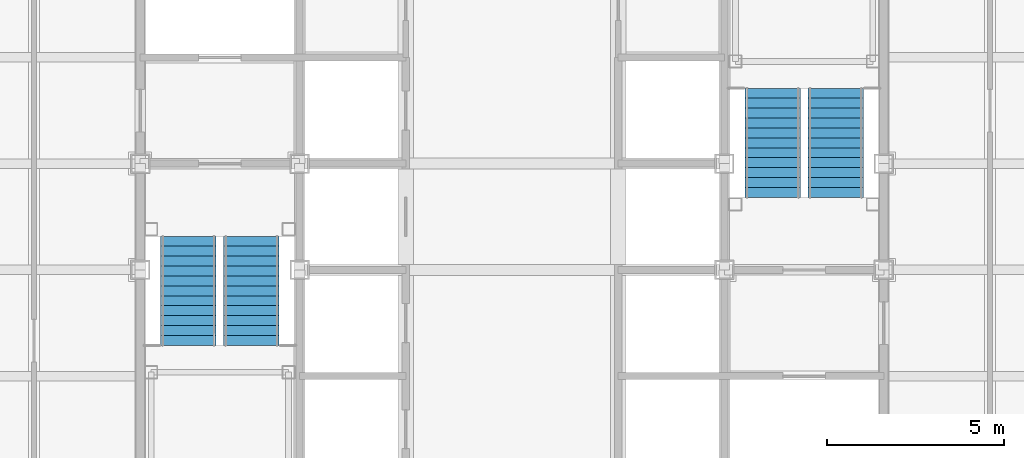
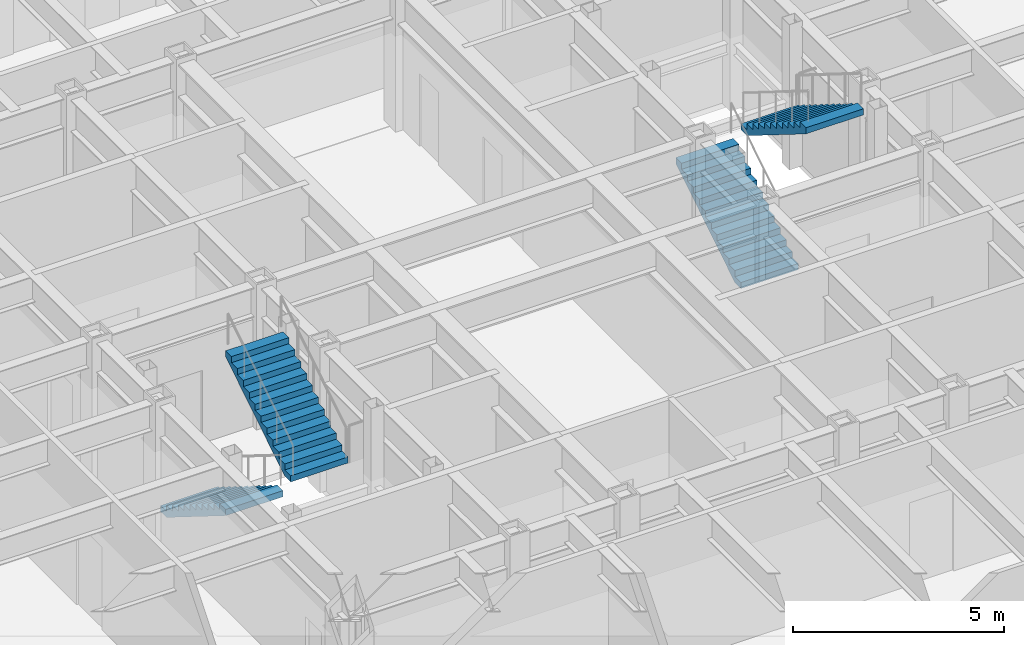
# One storey, part 14 of 16: 4 stair flights, 2 elements without a shape of their own.
"""IFC4 building model written with IfcOpenShell, lengths in metres."""

from ifc_helpers import new_model, si_unit, direction, frame, origin, place, context, subcontext, project, spatial, faceted_brep, material, type_object, element, aggregate, save


model = new_model("IFC4")

# Units and contexts
model_context = context("Model", 3, precision=1e-05, world=origin(), true_north=direction((0.0, 1.0)))
body_context = subcontext(model_context, "Body", "Model", "MODEL_VIEW")
ifc_project = project(units=[si_unit("LENGTHUNIT", "METRE"), si_unit("AREAUNIT", "SQUARE_METRE"), si_unit("VOLUMEUNIT", "CUBIC_METRE"), si_unit("PLANEANGLEUNIT", "RADIAN"), si_unit("MASSUNIT", "GRAM", prefix="KILO")], contexts=[model_context])

# Site, building, storey
site_placement = place(None, origin())
site = spatial("IfcSite", under=ifc_project, at=site_placement, CompositionType="ELEMENT")
building_placement = place(site_placement, origin())
building = spatial("IfcBuilding", under=site, at=building_placement, Name="Chuquiago Exchange Tower", CompositionType="ELEMENT")
storey_placement = place(building_placement, frame((0.0, 0.0, 247.5)))
storey = spatial("IfcBuildingStorey", under=building, at=storey_placement, Name="L55", CompositionType="ELEMENT", Elevation=247.5)

# Stair, stair flights
ifc_material_1 = material(Name="Concrete C30/37, precast", Category="concrete")
stair_type_1 = type_object("IfcStairType", Name="ST1 half-turn stair 4200", PredefinedType="HALF_TURN_STAIR", material=ifc_material_1)
stair_1_placement = place(storey_placement, origin())
stair_1 = element("IfcStair", 1, at=stair_1_placement, inside=storey, type_object=stair_type_1, Name="Stair ST1 L55", PredefinedType="HALF_TURN_STAIR")
ifc_material_2 = material(Name="Concrete C30/37, precast", Category="concrete")
stair_flight_type = type_object("IfcStairFlightType", Name="ST-F flight 1570 for 4200 storey", PredefinedType="STRAIGHT", material=ifc_material_2)
stair_flight_1_placement = place(storey_placement, frame((13.360107421875, 21.949951171875, 0.0), z_axis=(0.0, 0.0, 1.0), x_axis=(0.0, -1.0, 0.0)))
stair_flight_1 = element("IfcStairFlight", 2, at=stair_flight_1_placement, type_object=stair_flight_type, Name="ST1 flight 1", NumberOfRisers=12, NumberOfTreads=11, PredefinedType="STRAIGHT", RiserHeight=0.175, TreadLength=0.28, context=body_context, shape_type="Brep", body=[
    faceted_brep([(0.0, 0.78515625, 0.0), (0.0, 0.78515625, 0.175048828125), (0.280029296875, 0.78515625, 0.175048828125), (0.280029296875, 0.78515625, 0.35009765625), (0.56005859375, 0.78515625, 0.35009765625), (0.56005859375, 0.78515625, 0.52490234375), (0.840087890625, 0.78515625, 0.52490234375), (0.840087890625, 0.78515625, 0.699951171875), (1.1201171875, 0.78515625, 0.699951171875), (1.1201171875, 0.78515625, 0.875), (1.39990234375, 0.78515625, 0.875), (1.39990234375, 0.78515625, 1.050048828125), (1.679931640625, 0.78515625, 1.050048828125), (1.679931640625, 0.78515625, 1.22509765625), (1.9599609375, 0.78515625, 1.22509765625), (1.9599609375, 0.78515625, 1.39990234375), (2.239990234375, 0.78515625, 1.39990234375), (2.239990234375, 0.78515625, 1.574951171875), (2.52001953125, 0.78515625, 1.574951171875), (2.52001953125, 0.78515625, 1.75), (2.800048828125, 0.78515625, 1.75), (2.800048828125, 0.78515625, 1.925048828125), (3.080078125, 0.78515625, 1.925048828125), (3.080078125, 0.78515625, 1.748291015625), (0.28271484375, 0.78515625, 0.0), (0.28271484375, -0.78515625, 0.0), (3.080078125, -0.78515625, 1.748291015625), (3.080078125, -0.78515625, 1.925048828125), (2.800048828125, -0.78515625, 1.925048828125), (2.800048828125, -0.78515625, 1.75), (2.52001953125, -0.78515625, 1.75), (2.52001953125, -0.78515625, 1.574951171875), (2.239990234375, -0.78515625, 1.574951171875), (2.239990234375, -0.78515625, 1.39990234375), (1.9599609375, -0.78515625, 1.39990234375), (1.9599609375, -0.78515625, 1.22509765625), (1.679931640625, -0.78515625, 1.22509765625), (1.679931640625, -0.78515625, 1.050048828125), (1.39990234375, -0.78515625, 1.050048828125), (1.39990234375, -0.78515625, 0.875), (1.1201171875, -0.78515625, 0.875), (1.1201171875, -0.78515625, 0.699951171875), (0.840087890625, -0.78515625, 0.699951171875), (0.840087890625, -0.78515625, 0.52490234375), (0.56005859375, -0.78515625, 0.52490234375), (0.56005859375, -0.78515625, 0.35009765625), (0.280029296875, -0.78515625, 0.35009765625), (0.280029296875, -0.78515625, 0.175048828125), (0.0, -0.78515625, 0.175048828125), (0.0, -0.78515625, 0.0), (0.0, 0.392578125, 0.0), (0.0, 0.392578125, 0.175048828125), (0.0, 0.0, 0.0), (0.0, 0.0, 0.175048828125), (0.0, -0.392578125, 0.0), (0.0, -0.392578125, 0.175048828125), (0.280029296875, 0.392578125, 0.175048828125), (0.280029296875, 0.0, 0.175048828125), (0.280029296875, -0.392578125, 0.175048828125), (0.280029296875, 0.392578125, 0.35009765625), (0.280029296875, 0.0, 0.35009765625), (0.280029296875, -0.392578125, 0.35009765625), (0.56005859375, 0.392578125, 0.35009765625), (0.56005859375, 0.0, 0.35009765625), (0.56005859375, -0.392578125, 0.35009765625), (0.56005859375, 0.392578125, 0.52490234375), (0.56005859375, 0.0, 0.52490234375), (0.56005859375, -0.392578125, 0.52490234375), (0.840087890625, 0.392578125, 0.52490234375), (0.840087890625, 0.0, 0.52490234375), (0.840087890625, -0.392578125, 0.52490234375), (0.840087890625, 0.392578125, 0.699951171875), (0.840087890625, 0.0, 0.699951171875), (0.840087890625, -0.392578125, 0.699951171875), (1.1201171875, 0.392578125, 0.699951171875), (1.1201171875, 0.0, 0.699951171875), (1.1201171875, -0.392578125, 0.699951171875), (1.1201171875, 0.392578125, 0.875), (1.1201171875, 0.0, 0.875), (1.1201171875, -0.392578125, 0.875), (1.39990234375, 0.392578125, 0.875), (1.39990234375, 0.0, 0.875), (1.39990234375, -0.392578125, 0.875), (1.39990234375, 0.392578125, 1.050048828125), (1.39990234375, 0.0, 1.050048828125), (1.39990234375, -0.392578125, 1.050048828125), (1.679931640625, 0.392578125, 1.050048828125), (1.679931640625, 0.0, 1.050048828125), (1.679931640625, -0.392578125, 1.050048828125), (1.679931640625, 0.392578125, 1.22509765625), (1.679931640625, 0.0, 1.22509765625), (1.679931640625, -0.392578125, 1.22509765625), (1.9599609375, 0.392578125, 1.22509765625), (1.9599609375, 0.0, 1.22509765625), (1.9599609375, -0.392578125, 1.22509765625), (1.9599609375, 0.392578125, 1.39990234375), (1.9599609375, 0.0, 1.39990234375), (1.9599609375, -0.392578125, 1.39990234375), (2.239990234375, 0.392578125, 1.39990234375), (2.239990234375, 0.0, 1.39990234375), (2.239990234375, -0.392578125, 1.39990234375), (2.239990234375, 0.392578125, 1.574951171875), (2.239990234375, 0.0, 1.574951171875), (2.239990234375, -0.392578125, 1.574951171875), (2.52001953125, 0.392578125, 1.574951171875), (2.52001953125, 0.0, 1.574951171875), (2.52001953125, -0.392578125, 1.574951171875), (2.52001953125, 0.392578125, 1.75), (2.52001953125, 0.0, 1.75), (2.52001953125, -0.392578125, 1.75), (2.800048828125, 0.392578125, 1.75), (2.800048828125, 0.0, 1.75), (2.800048828125, -0.392578125, 1.75), (2.800048828125, 0.392578125, 1.925048828125), (2.800048828125, 0.0, 1.925048828125), (2.800048828125, -0.392578125, 1.925048828125), (3.080078125, 0.392578125, 1.925048828125), (3.080078125, 0.0, 1.925048828125), (3.080078125, -0.392578125, 1.925048828125), (3.080078125, 0.392578125, 1.748291015625), (3.080078125, 0.0, 1.748291015625), (3.080078125, -0.392578125, 1.748291015625), (0.28271484375, 0.392578125, 0.0), (0.28271484375, 0.0, 0.0), (0.28271484375, -0.392578125, 0.0)], [[[0, 1, 2, 3, 4, 5, 6, 7, 8, 9, 10, 11, 12, 13, 14, 15, 16, 17, 18, 19, 20, 21, 22, 23, 24]], [[25, 26, 27, 28, 29, 30, 31, 32, 33, 34, 35, 36, 37, 38, 39, 40, 41, 42, 43, 44, 45, 46, 47, 48, 49]], [[1, 0, 50, 51]], [[51, 50, 52, 53]], [[53, 52, 54, 55]], [[55, 54, 49, 48]], [[2, 1, 51, 56]], [[56, 51, 53, 57]], [[57, 53, 55, 58]], [[58, 55, 48, 47]], [[3, 2, 56, 59]], [[59, 56, 57, 60]], [[60, 57, 58, 61]], [[61, 58, 47, 46]], [[4, 3, 59, 62]], [[62, 59, 60, 63]], [[63, 60, 61, 64]], [[64, 61, 46, 45]], [[5, 4, 62, 65]], [[65, 62, 63, 66]], [[66, 63, 64, 67]], [[67, 64, 45, 44]], [[6, 5, 65, 68]], [[68, 65, 66, 69]], [[69, 66, 67, 70]], [[70, 67, 44, 43]], [[7, 6, 68, 71]], [[71, 68, 69, 72]], [[72, 69, 70, 73]], [[73, 70, 43, 42]], [[8, 7, 71, 74]], [[74, 71, 72, 75]], [[75, 72, 73, 76]], [[76, 73, 42, 41]], [[9, 8, 74, 77]], [[77, 74, 75, 78]], [[78, 75, 76, 79]], [[79, 76, 41, 40]], [[10, 9, 77, 80]], [[80, 77, 78, 81]], [[81, 78, 79, 82]], [[82, 79, 40, 39]], [[11, 10, 80, 83]], [[83, 80, 81, 84]], [[84, 81, 82, 85]], [[85, 82, 39, 38]], [[12, 11, 83, 86]], [[86, 83, 84, 87]], [[87, 84, 85, 88]], [[88, 85, 38, 37]], [[13, 12, 86, 89]], [[89, 86, 87, 90]], [[90, 87, 88, 91]], [[91, 88, 37, 36]], [[14, 13, 89, 92]], [[92, 89, 90, 93]], [[93, 90, 91, 94]], [[94, 91, 36, 35]], [[15, 14, 92, 95]], [[95, 92, 93, 96]], [[96, 93, 94, 97]], [[97, 94, 35, 34]], [[16, 15, 95, 98]], [[98, 95, 96, 99]], [[99, 96, 97, 100]], [[100, 97, 34, 33]], [[17, 16, 98, 101]], [[101, 98, 99, 102]], [[102, 99, 100, 103]], [[103, 100, 33, 32]], [[18, 17, 101, 104]], [[104, 101, 102, 105]], [[105, 102, 103, 106]], [[106, 103, 32, 31]], [[19, 18, 104, 107]], [[107, 104, 105, 108]], [[108, 105, 106, 109]], [[109, 106, 31, 30]], [[20, 19, 107, 110]], [[110, 107, 108, 111]], [[111, 108, 109, 112]], [[112, 109, 30, 29]], [[21, 20, 110, 113]], [[113, 110, 111, 114]], [[114, 111, 112, 115]], [[115, 112, 29, 28]], [[22, 21, 113, 116]], [[116, 113, 114, 117]], [[117, 114, 115, 118]], [[118, 115, 28, 27]], [[23, 22, 116, 119]], [[119, 116, 117, 120]], [[120, 117, 118, 121]], [[121, 118, 27, 26]], [[24, 23, 119, 122]], [[122, 119, 120, 123]], [[123, 120, 121, 124]], [[124, 121, 26, 25]], [[0, 24, 122, 50]], [[50, 122, 123, 52]], [[52, 123, 124, 54]], [[54, 124, 25, 49]]]),
])
stair_flight_2_placement = place(storey_placement, frame((15.139892578125, 18.8701171875, 2.10009765625), z_axis=(0.0, 0.0, 1.0), x_axis=(0.0, 1.0, 0.0)))
stair_flight_2 = element("IfcStairFlight", 3, at=stair_flight_2_placement, type_object=stair_flight_type, Name="ST1 flight 2", NumberOfRisers=12, NumberOfTreads=11, PredefinedType="STRAIGHT", RiserHeight=0.175, TreadLength=0.28, context=body_context, shape_type="Brep", body=[
    faceted_brep([(0.0, 0.78515625, 0.0), (0.0, 0.78515625, 0.175048828125), (0.280029296875, 0.78515625, 0.175048828125), (0.280029296875, 0.78515625, 0.35009765625), (0.56005859375, 0.78515625, 0.35009765625), (0.56005859375, 0.78515625, 0.52490234375), (0.840087890625, 0.78515625, 0.52490234375), (0.840087890625, 0.78515625, 0.699951171875), (1.1201171875, 0.78515625, 0.699951171875), (1.1201171875, 0.78515625, 0.875), (1.39990234375, 0.78515625, 0.875), (1.39990234375, 0.78515625, 1.050048828125), (1.679931640625, 0.78515625, 1.050048828125), (1.679931640625, 0.78515625, 1.22509765625), (1.9599609375, 0.78515625, 1.22509765625), (1.9599609375, 0.78515625, 1.39990234375), (2.239990234375, 0.78515625, 1.39990234375), (2.239990234375, 0.78515625, 1.574951171875), (2.52001953125, 0.78515625, 1.574951171875), (2.52001953125, 0.78515625, 1.75), (2.800048828125, 0.78515625, 1.75), (2.800048828125, 0.78515625, 1.925048828125), (3.080078125, 0.78515625, 1.925048828125), (3.080078125, 0.78515625, 1.748291015625), (0.28271484375, 0.78515625, 0.0), (0.28271484375, -0.78515625, 0.0), (3.080078125, -0.78515625, 1.748291015625), (3.080078125, -0.78515625, 1.925048828125), (2.800048828125, -0.78515625, 1.925048828125), (2.800048828125, -0.78515625, 1.75), (2.52001953125, -0.78515625, 1.75), (2.52001953125, -0.78515625, 1.574951171875), (2.239990234375, -0.78515625, 1.574951171875), (2.239990234375, -0.78515625, 1.39990234375), (1.9599609375, -0.78515625, 1.39990234375), (1.9599609375, -0.78515625, 1.22509765625), (1.679931640625, -0.78515625, 1.22509765625), (1.679931640625, -0.78515625, 1.050048828125), (1.39990234375, -0.78515625, 1.050048828125), (1.39990234375, -0.78515625, 0.875), (1.1201171875, -0.78515625, 0.875), (1.1201171875, -0.78515625, 0.699951171875), (0.840087890625, -0.78515625, 0.699951171875), (0.840087890625, -0.78515625, 0.52490234375), (0.56005859375, -0.78515625, 0.52490234375), (0.56005859375, -0.78515625, 0.35009765625), (0.280029296875, -0.78515625, 0.35009765625), (0.280029296875, -0.78515625, 0.175048828125), (0.0, -0.78515625, 0.175048828125), (0.0, -0.78515625, 0.0), (0.0, 0.392578125, 0.0), (0.0, 0.392578125, 0.175048828125), (0.0, 0.0, 0.0), (0.0, 0.0, 0.175048828125), (0.0, -0.392578125, 0.0), (0.0, -0.392578125, 0.175048828125), (0.280029296875, 0.392578125, 0.175048828125), (0.280029296875, 0.0, 0.175048828125), (0.280029296875, -0.392578125, 0.175048828125), (0.280029296875, 0.392578125, 0.35009765625), (0.280029296875, 0.0, 0.35009765625), (0.280029296875, -0.392578125, 0.35009765625), (0.56005859375, 0.392578125, 0.35009765625), (0.56005859375, 0.0, 0.35009765625), (0.56005859375, -0.392578125, 0.35009765625), (0.56005859375, 0.392578125, 0.52490234375), (0.56005859375, 0.0, 0.52490234375), (0.56005859375, -0.392578125, 0.52490234375), (0.840087890625, 0.392578125, 0.52490234375), (0.840087890625, 0.0, 0.52490234375), (0.840087890625, -0.392578125, 0.52490234375), (0.840087890625, 0.392578125, 0.699951171875), (0.840087890625, 0.0, 0.699951171875), (0.840087890625, -0.392578125, 0.699951171875), (1.1201171875, 0.392578125, 0.699951171875), (1.1201171875, 0.0, 0.699951171875), (1.1201171875, -0.392578125, 0.699951171875), (1.1201171875, 0.392578125, 0.875), (1.1201171875, 0.0, 0.875), (1.1201171875, -0.392578125, 0.875), (1.39990234375, 0.392578125, 0.875), (1.39990234375, 0.0, 0.875), (1.39990234375, -0.392578125, 0.875), (1.39990234375, 0.392578125, 1.050048828125), (1.39990234375, 0.0, 1.050048828125), (1.39990234375, -0.392578125, 1.050048828125), (1.679931640625, 0.392578125, 1.050048828125), (1.679931640625, 0.0, 1.050048828125), (1.679931640625, -0.392578125, 1.050048828125), (1.679931640625, 0.392578125, 1.22509765625), (1.679931640625, 0.0, 1.22509765625), (1.679931640625, -0.392578125, 1.22509765625), (1.9599609375, 0.392578125, 1.22509765625), (1.9599609375, 0.0, 1.22509765625), (1.9599609375, -0.392578125, 1.22509765625), (1.9599609375, 0.392578125, 1.39990234375), (1.9599609375, 0.0, 1.39990234375), (1.9599609375, -0.392578125, 1.39990234375), (2.239990234375, 0.392578125, 1.39990234375), (2.239990234375, 0.0, 1.39990234375), (2.239990234375, -0.392578125, 1.39990234375), (2.239990234375, 0.392578125, 1.574951171875), (2.239990234375, 0.0, 1.574951171875), (2.239990234375, -0.392578125, 1.574951171875), (2.52001953125, 0.392578125, 1.574951171875), (2.52001953125, 0.0, 1.574951171875), (2.52001953125, -0.392578125, 1.574951171875), (2.52001953125, 0.392578125, 1.75), (2.52001953125, 0.0, 1.75), (2.52001953125, -0.392578125, 1.75), (2.800048828125, 0.392578125, 1.75), (2.800048828125, 0.0, 1.75), (2.800048828125, -0.392578125, 1.75), (2.800048828125, 0.392578125, 1.925048828125), (2.800048828125, 0.0, 1.925048828125), (2.800048828125, -0.392578125, 1.925048828125), (3.080078125, 0.392578125, 1.925048828125), (3.080078125, 0.0, 1.925048828125), (3.080078125, -0.392578125, 1.925048828125), (3.080078125, 0.392578125, 1.748291015625), (3.080078125, 0.0, 1.748291015625), (3.080078125, -0.392578125, 1.748291015625), (0.28271484375, 0.392578125, 0.0), (0.28271484375, 0.0, 0.0), (0.28271484375, -0.392578125, 0.0)], [[[0, 1, 2, 3, 4, 5, 6, 7, 8, 9, 10, 11, 12, 13, 14, 15, 16, 17, 18, 19, 20, 21, 22, 23, 24]], [[25, 26, 27, 28, 29, 30, 31, 32, 33, 34, 35, 36, 37, 38, 39, 40, 41, 42, 43, 44, 45, 46, 47, 48, 49]], [[1, 0, 50, 51]], [[51, 50, 52, 53]], [[53, 52, 54, 55]], [[55, 54, 49, 48]], [[2, 1, 51, 56]], [[56, 51, 53, 57]], [[57, 53, 55, 58]], [[58, 55, 48, 47]], [[3, 2, 56, 59]], [[59, 56, 57, 60]], [[60, 57, 58, 61]], [[61, 58, 47, 46]], [[4, 3, 59, 62]], [[62, 59, 60, 63]], [[63, 60, 61, 64]], [[64, 61, 46, 45]], [[5, 4, 62, 65]], [[65, 62, 63, 66]], [[66, 63, 64, 67]], [[67, 64, 45, 44]], [[6, 5, 65, 68]], [[68, 65, 66, 69]], [[69, 66, 67, 70]], [[70, 67, 44, 43]], [[7, 6, 68, 71]], [[71, 68, 69, 72]], [[72, 69, 70, 73]], [[73, 70, 43, 42]], [[8, 7, 71, 74]], [[74, 71, 72, 75]], [[75, 72, 73, 76]], [[76, 73, 42, 41]], [[9, 8, 74, 77]], [[77, 74, 75, 78]], [[78, 75, 76, 79]], [[79, 76, 41, 40]], [[10, 9, 77, 80]], [[80, 77, 78, 81]], [[81, 78, 79, 82]], [[82, 79, 40, 39]], [[11, 10, 80, 83]], [[83, 80, 81, 84]], [[84, 81, 82, 85]], [[85, 82, 39, 38]], [[12, 11, 83, 86]], [[86, 83, 84, 87]], [[87, 84, 85, 88]], [[88, 85, 38, 37]], [[13, 12, 86, 89]], [[89, 86, 87, 90]], [[90, 87, 88, 91]], [[91, 88, 37, 36]], [[14, 13, 89, 92]], [[92, 89, 90, 93]], [[93, 90, 91, 94]], [[94, 91, 36, 35]], [[15, 14, 92, 95]], [[95, 92, 93, 96]], [[96, 93, 94, 97]], [[97, 94, 35, 34]], [[16, 15, 95, 98]], [[98, 95, 96, 99]], [[99, 96, 97, 100]], [[100, 97, 34, 33]], [[17, 16, 98, 101]], [[101, 98, 99, 102]], [[102, 99, 100, 103]], [[103, 100, 33, 32]], [[18, 17, 101, 104]], [[104, 101, 102, 105]], [[105, 102, 103, 106]], [[106, 103, 32, 31]], [[19, 18, 104, 107]], [[107, 104, 105, 108]], [[108, 105, 106, 109]], [[109, 106, 31, 30]], [[20, 19, 107, 110]], [[110, 107, 108, 111]], [[111, 108, 109, 112]], [[112, 109, 30, 29]], [[21, 20, 110, 113]], [[113, 110, 111, 114]], [[114, 111, 112, 115]], [[115, 112, 29, 28]], [[22, 21, 113, 116]], [[116, 113, 114, 117]], [[117, 114, 115, 118]], [[118, 115, 28, 27]], [[23, 22, 116, 119]], [[119, 116, 117, 120]], [[120, 117, 118, 121]], [[121, 118, 27, 26]], [[24, 23, 119, 122]], [[122, 119, 120, 123]], [[123, 120, 121, 124]], [[124, 121, 26, 25]], [[0, 24, 122, 50]], [[50, 122, 123, 52]], [[52, 123, 124, 54]], [[54, 124, 25, 49]]]),
])
aggregate(stair_1, [stair_flight_1, stair_flight_2])

ifc_material_3 = material(Name="Concrete C30/37, precast", Category="concrete")
stair_type_2 = type_object("IfcStairType", Name="ST2 half-turn stair 4200", PredefinedType="HALF_TURN_STAIR", material=ifc_material_3)
stair_2_placement = place(storey_placement, origin())
stair_2 = element("IfcStair", 4, at=stair_2_placement, inside=storey, type_object=stair_type_2, Name="Stair ST2 L55", PredefinedType="HALF_TURN_STAIR")
stair_flight_3_placement = place(storey_placement, frame((29.860107421875, 23.050048828125, 0.0), z_axis=(0.0, 0.0, 1.0), x_axis=(0.0, 1.0, 0.0)))
stair_flight_3 = element("IfcStairFlight", 5, at=stair_flight_3_placement, type_object=stair_flight_type, Name="ST2 flight 1", NumberOfRisers=12, NumberOfTreads=11, PredefinedType="STRAIGHT", RiserHeight=0.175, TreadLength=0.28, context=body_context, shape_type="Brep", body=[
    faceted_brep([(0.0, 0.78515625, 0.0), (0.0, 0.78515625, 0.175048828125), (0.280029296875, 0.78515625, 0.175048828125), (0.280029296875, 0.78515625, 0.35009765625), (0.56005859375, 0.78515625, 0.35009765625), (0.56005859375, 0.78515625, 0.52490234375), (0.840087890625, 0.78515625, 0.52490234375), (0.840087890625, 0.78515625, 0.699951171875), (1.1201171875, 0.78515625, 0.699951171875), (1.1201171875, 0.78515625, 0.875), (1.39990234375, 0.78515625, 0.875), (1.39990234375, 0.78515625, 1.050048828125), (1.679931640625, 0.78515625, 1.050048828125), (1.679931640625, 0.78515625, 1.22509765625), (1.9599609375, 0.78515625, 1.22509765625), (1.9599609375, 0.78515625, 1.39990234375), (2.239990234375, 0.78515625, 1.39990234375), (2.239990234375, 0.78515625, 1.574951171875), (2.52001953125, 0.78515625, 1.574951171875), (2.52001953125, 0.78515625, 1.75), (2.800048828125, 0.78515625, 1.75), (2.800048828125, 0.78515625, 1.925048828125), (3.080078125, 0.78515625, 1.925048828125), (3.080078125, 0.78515625, 1.748291015625), (0.28271484375, 0.78515625, 0.0), (0.28271484375, -0.78515625, 0.0), (3.080078125, -0.78515625, 1.748291015625), (3.080078125, -0.78515625, 1.925048828125), (2.800048828125, -0.78515625, 1.925048828125), (2.800048828125, -0.78515625, 1.75), (2.52001953125, -0.78515625, 1.75), (2.52001953125, -0.78515625, 1.574951171875), (2.239990234375, -0.78515625, 1.574951171875), (2.239990234375, -0.78515625, 1.39990234375), (1.9599609375, -0.78515625, 1.39990234375), (1.9599609375, -0.78515625, 1.22509765625), (1.679931640625, -0.78515625, 1.22509765625), (1.679931640625, -0.78515625, 1.050048828125), (1.39990234375, -0.78515625, 1.050048828125), (1.39990234375, -0.78515625, 0.875), (1.1201171875, -0.78515625, 0.875), (1.1201171875, -0.78515625, 0.699951171875), (0.840087890625, -0.78515625, 0.699951171875), (0.840087890625, -0.78515625, 0.52490234375), (0.56005859375, -0.78515625, 0.52490234375), (0.56005859375, -0.78515625, 0.35009765625), (0.280029296875, -0.78515625, 0.35009765625), (0.280029296875, -0.78515625, 0.175048828125), (0.0, -0.78515625, 0.175048828125), (0.0, -0.78515625, 0.0), (0.0, 0.392578125, 0.0), (0.0, 0.392578125, 0.175048828125), (0.0, 0.0, 0.0), (0.0, 0.0, 0.175048828125), (0.0, -0.392578125, 0.0), (0.0, -0.392578125, 0.175048828125), (0.280029296875, 0.392578125, 0.175048828125), (0.280029296875, 0.0, 0.175048828125), (0.280029296875, -0.392578125, 0.175048828125), (0.280029296875, 0.392578125, 0.35009765625), (0.280029296875, 0.0, 0.35009765625), (0.280029296875, -0.392578125, 0.35009765625), (0.56005859375, 0.392578125, 0.35009765625), (0.56005859375, 0.0, 0.35009765625), (0.56005859375, -0.392578125, 0.35009765625), (0.56005859375, 0.392578125, 0.52490234375), (0.56005859375, 0.0, 0.52490234375), (0.56005859375, -0.392578125, 0.52490234375), (0.840087890625, 0.392578125, 0.52490234375), (0.840087890625, 0.0, 0.52490234375), (0.840087890625, -0.392578125, 0.52490234375), (0.840087890625, 0.392578125, 0.699951171875), (0.840087890625, 0.0, 0.699951171875), (0.840087890625, -0.392578125, 0.699951171875), (1.1201171875, 0.392578125, 0.699951171875), (1.1201171875, 0.0, 0.699951171875), (1.1201171875, -0.392578125, 0.699951171875), (1.1201171875, 0.392578125, 0.875), (1.1201171875, 0.0, 0.875), (1.1201171875, -0.392578125, 0.875), (1.39990234375, 0.392578125, 0.875), (1.39990234375, 0.0, 0.875), (1.39990234375, -0.392578125, 0.875), (1.39990234375, 0.392578125, 1.050048828125), (1.39990234375, 0.0, 1.050048828125), (1.39990234375, -0.392578125, 1.050048828125), (1.679931640625, 0.392578125, 1.050048828125), (1.679931640625, 0.0, 1.050048828125), (1.679931640625, -0.392578125, 1.050048828125), (1.679931640625, 0.392578125, 1.22509765625), (1.679931640625, 0.0, 1.22509765625), (1.679931640625, -0.392578125, 1.22509765625), (1.9599609375, 0.392578125, 1.22509765625), (1.9599609375, 0.0, 1.22509765625), (1.9599609375, -0.392578125, 1.22509765625), (1.9599609375, 0.392578125, 1.39990234375), (1.9599609375, 0.0, 1.39990234375), (1.9599609375, -0.392578125, 1.39990234375), (2.239990234375, 0.392578125, 1.39990234375), (2.239990234375, 0.0, 1.39990234375), (2.239990234375, -0.392578125, 1.39990234375), (2.239990234375, 0.392578125, 1.574951171875), (2.239990234375, 0.0, 1.574951171875), (2.239990234375, -0.392578125, 1.574951171875), (2.52001953125, 0.392578125, 1.574951171875), (2.52001953125, 0.0, 1.574951171875), (2.52001953125, -0.392578125, 1.574951171875), (2.52001953125, 0.392578125, 1.75), (2.52001953125, 0.0, 1.75), (2.52001953125, -0.392578125, 1.75), (2.800048828125, 0.392578125, 1.75), (2.800048828125, 0.0, 1.75), (2.800048828125, -0.392578125, 1.75), (2.800048828125, 0.392578125, 1.925048828125), (2.800048828125, 0.0, 1.925048828125), (2.800048828125, -0.392578125, 1.925048828125), (3.080078125, 0.392578125, 1.925048828125), (3.080078125, 0.0, 1.925048828125), (3.080078125, -0.392578125, 1.925048828125), (3.080078125, 0.392578125, 1.748291015625), (3.080078125, 0.0, 1.748291015625), (3.080078125, -0.392578125, 1.748291015625), (0.28271484375, 0.392578125, 0.0), (0.28271484375, 0.0, 0.0), (0.28271484375, -0.392578125, 0.0)], [[[0, 1, 2, 3, 4, 5, 6, 7, 8, 9, 10, 11, 12, 13, 14, 15, 16, 17, 18, 19, 20, 21, 22, 23, 24]], [[25, 26, 27, 28, 29, 30, 31, 32, 33, 34, 35, 36, 37, 38, 39, 40, 41, 42, 43, 44, 45, 46, 47, 48, 49]], [[1, 0, 50, 51]], [[51, 50, 52, 53]], [[53, 52, 54, 55]], [[55, 54, 49, 48]], [[2, 1, 51, 56]], [[56, 51, 53, 57]], [[57, 53, 55, 58]], [[58, 55, 48, 47]], [[3, 2, 56, 59]], [[59, 56, 57, 60]], [[60, 57, 58, 61]], [[61, 58, 47, 46]], [[4, 3, 59, 62]], [[62, 59, 60, 63]], [[63, 60, 61, 64]], [[64, 61, 46, 45]], [[5, 4, 62, 65]], [[65, 62, 63, 66]], [[66, 63, 64, 67]], [[67, 64, 45, 44]], [[6, 5, 65, 68]], [[68, 65, 66, 69]], [[69, 66, 67, 70]], [[70, 67, 44, 43]], [[7, 6, 68, 71]], [[71, 68, 69, 72]], [[72, 69, 70, 73]], [[73, 70, 43, 42]], [[8, 7, 71, 74]], [[74, 71, 72, 75]], [[75, 72, 73, 76]], [[76, 73, 42, 41]], [[9, 8, 74, 77]], [[77, 74, 75, 78]], [[78, 75, 76, 79]], [[79, 76, 41, 40]], [[10, 9, 77, 80]], [[80, 77, 78, 81]], [[81, 78, 79, 82]], [[82, 79, 40, 39]], [[11, 10, 80, 83]], [[83, 80, 81, 84]], [[84, 81, 82, 85]], [[85, 82, 39, 38]], [[12, 11, 83, 86]], [[86, 83, 84, 87]], [[87, 84, 85, 88]], [[88, 85, 38, 37]], [[13, 12, 86, 89]], [[89, 86, 87, 90]], [[90, 87, 88, 91]], [[91, 88, 37, 36]], [[14, 13, 89, 92]], [[92, 89, 90, 93]], [[93, 90, 91, 94]], [[94, 91, 36, 35]], [[15, 14, 92, 95]], [[95, 92, 93, 96]], [[96, 93, 94, 97]], [[97, 94, 35, 34]], [[16, 15, 95, 98]], [[98, 95, 96, 99]], [[99, 96, 97, 100]], [[100, 97, 34, 33]], [[17, 16, 98, 101]], [[101, 98, 99, 102]], [[102, 99, 100, 103]], [[103, 100, 33, 32]], [[18, 17, 101, 104]], [[104, 101, 102, 105]], [[105, 102, 103, 106]], [[106, 103, 32, 31]], [[19, 18, 104, 107]], [[107, 104, 105, 108]], [[108, 105, 106, 109]], [[109, 106, 31, 30]], [[20, 19, 107, 110]], [[110, 107, 108, 111]], [[111, 108, 109, 112]], [[112, 109, 30, 29]], [[21, 20, 110, 113]], [[113, 110, 111, 114]], [[114, 111, 112, 115]], [[115, 112, 29, 28]], [[22, 21, 113, 116]], [[116, 113, 114, 117]], [[117, 114, 115, 118]], [[118, 115, 28, 27]], [[23, 22, 116, 119]], [[119, 116, 117, 120]], [[120, 117, 118, 121]], [[121, 118, 27, 26]], [[24, 23, 119, 122]], [[122, 119, 120, 123]], [[123, 120, 121, 124]], [[124, 121, 26, 25]], [[0, 24, 122, 50]], [[50, 122, 123, 52]], [[52, 123, 124, 54]], [[54, 124, 25, 49]]]),
])
stair_flight_4_placement = place(storey_placement, frame((31.639892578125, 26.1298828125, 2.10009765625), z_axis=(0.0, 0.0, 1.0), x_axis=(0.0, -1.0, 0.0)))
stair_flight_4 = element("IfcStairFlight", 6, at=stair_flight_4_placement, type_object=stair_flight_type, Name="ST2 flight 2", NumberOfRisers=12, NumberOfTreads=11, PredefinedType="STRAIGHT", RiserHeight=0.175, TreadLength=0.28, context=body_context, shape_type="Brep", body=[
    faceted_brep([(0.0, 0.78515625, 0.0), (0.0, 0.78515625, 0.175048828125), (0.280029296875, 0.78515625, 0.175048828125), (0.280029296875, 0.78515625, 0.35009765625), (0.56005859375, 0.78515625, 0.35009765625), (0.56005859375, 0.78515625, 0.52490234375), (0.840087890625, 0.78515625, 0.52490234375), (0.840087890625, 0.78515625, 0.699951171875), (1.1201171875, 0.78515625, 0.699951171875), (1.1201171875, 0.78515625, 0.875), (1.39990234375, 0.78515625, 0.875), (1.39990234375, 0.78515625, 1.050048828125), (1.679931640625, 0.78515625, 1.050048828125), (1.679931640625, 0.78515625, 1.22509765625), (1.9599609375, 0.78515625, 1.22509765625), (1.9599609375, 0.78515625, 1.39990234375), (2.239990234375, 0.78515625, 1.39990234375), (2.239990234375, 0.78515625, 1.574951171875), (2.52001953125, 0.78515625, 1.574951171875), (2.52001953125, 0.78515625, 1.75), (2.800048828125, 0.78515625, 1.75), (2.800048828125, 0.78515625, 1.925048828125), (3.080078125, 0.78515625, 1.925048828125), (3.080078125, 0.78515625, 1.748291015625), (0.28271484375, 0.78515625, 0.0), (0.28271484375, -0.78515625, 0.0), (3.080078125, -0.78515625, 1.748291015625), (3.080078125, -0.78515625, 1.925048828125), (2.800048828125, -0.78515625, 1.925048828125), (2.800048828125, -0.78515625, 1.75), (2.52001953125, -0.78515625, 1.75), (2.52001953125, -0.78515625, 1.574951171875), (2.239990234375, -0.78515625, 1.574951171875), (2.239990234375, -0.78515625, 1.39990234375), (1.9599609375, -0.78515625, 1.39990234375), (1.9599609375, -0.78515625, 1.22509765625), (1.679931640625, -0.78515625, 1.22509765625), (1.679931640625, -0.78515625, 1.050048828125), (1.39990234375, -0.78515625, 1.050048828125), (1.39990234375, -0.78515625, 0.875), (1.1201171875, -0.78515625, 0.875), (1.1201171875, -0.78515625, 0.699951171875), (0.840087890625, -0.78515625, 0.699951171875), (0.840087890625, -0.78515625, 0.52490234375), (0.56005859375, -0.78515625, 0.52490234375), (0.56005859375, -0.78515625, 0.35009765625), (0.280029296875, -0.78515625, 0.35009765625), (0.280029296875, -0.78515625, 0.175048828125), (0.0, -0.78515625, 0.175048828125), (0.0, -0.78515625, 0.0), (0.0, 0.392578125, 0.0), (0.0, 0.392578125, 0.175048828125), (0.0, 0.0, 0.0), (0.0, 0.0, 0.175048828125), (0.0, -0.392578125, 0.0), (0.0, -0.392578125, 0.175048828125), (0.280029296875, 0.392578125, 0.175048828125), (0.280029296875, 0.0, 0.175048828125), (0.280029296875, -0.392578125, 0.175048828125), (0.280029296875, 0.392578125, 0.35009765625), (0.280029296875, 0.0, 0.35009765625), (0.280029296875, -0.392578125, 0.35009765625), (0.56005859375, 0.392578125, 0.35009765625), (0.56005859375, 0.0, 0.35009765625), (0.56005859375, -0.392578125, 0.35009765625), (0.56005859375, 0.392578125, 0.52490234375), (0.56005859375, 0.0, 0.52490234375), (0.56005859375, -0.392578125, 0.52490234375), (0.840087890625, 0.392578125, 0.52490234375), (0.840087890625, 0.0, 0.52490234375), (0.840087890625, -0.392578125, 0.52490234375), (0.840087890625, 0.392578125, 0.699951171875), (0.840087890625, 0.0, 0.699951171875), (0.840087890625, -0.392578125, 0.699951171875), (1.1201171875, 0.392578125, 0.699951171875), (1.1201171875, 0.0, 0.699951171875), (1.1201171875, -0.392578125, 0.699951171875), (1.1201171875, 0.392578125, 0.875), (1.1201171875, 0.0, 0.875), (1.1201171875, -0.392578125, 0.875), (1.39990234375, 0.392578125, 0.875), (1.39990234375, 0.0, 0.875), (1.39990234375, -0.392578125, 0.875), (1.39990234375, 0.392578125, 1.050048828125), (1.39990234375, 0.0, 1.050048828125), (1.39990234375, -0.392578125, 1.050048828125), (1.679931640625, 0.392578125, 1.050048828125), (1.679931640625, 0.0, 1.050048828125), (1.679931640625, -0.392578125, 1.050048828125), (1.679931640625, 0.392578125, 1.22509765625), (1.679931640625, 0.0, 1.22509765625), (1.679931640625, -0.392578125, 1.22509765625), (1.9599609375, 0.392578125, 1.22509765625), (1.9599609375, 0.0, 1.22509765625), (1.9599609375, -0.392578125, 1.22509765625), (1.9599609375, 0.392578125, 1.39990234375), (1.9599609375, 0.0, 1.39990234375), (1.9599609375, -0.392578125, 1.39990234375), (2.239990234375, 0.392578125, 1.39990234375), (2.239990234375, 0.0, 1.39990234375), (2.239990234375, -0.392578125, 1.39990234375), (2.239990234375, 0.392578125, 1.574951171875), (2.239990234375, 0.0, 1.574951171875), (2.239990234375, -0.392578125, 1.574951171875), (2.52001953125, 0.392578125, 1.574951171875), (2.52001953125, 0.0, 1.574951171875), (2.52001953125, -0.392578125, 1.574951171875), (2.52001953125, 0.392578125, 1.75), (2.52001953125, 0.0, 1.75), (2.52001953125, -0.392578125, 1.75), (2.800048828125, 0.392578125, 1.75), (2.800048828125, 0.0, 1.75), (2.800048828125, -0.392578125, 1.75), (2.800048828125, 0.392578125, 1.925048828125), (2.800048828125, 0.0, 1.925048828125), (2.800048828125, -0.392578125, 1.925048828125), (3.080078125, 0.392578125, 1.925048828125), (3.080078125, 0.0, 1.925048828125), (3.080078125, -0.392578125, 1.925048828125), (3.080078125, 0.392578125, 1.748291015625), (3.080078125, 0.0, 1.748291015625), (3.080078125, -0.392578125, 1.748291015625), (0.28271484375, 0.392578125, 0.0), (0.28271484375, 0.0, 0.0), (0.28271484375, -0.392578125, 0.0)], [[[0, 1, 2, 3, 4, 5, 6, 7, 8, 9, 10, 11, 12, 13, 14, 15, 16, 17, 18, 19, 20, 21, 22, 23, 24]], [[25, 26, 27, 28, 29, 30, 31, 32, 33, 34, 35, 36, 37, 38, 39, 40, 41, 42, 43, 44, 45, 46, 47, 48, 49]], [[1, 0, 50, 51]], [[51, 50, 52, 53]], [[53, 52, 54, 55]], [[55, 54, 49, 48]], [[2, 1, 51, 56]], [[56, 51, 53, 57]], [[57, 53, 55, 58]], [[58, 55, 48, 47]], [[3, 2, 56, 59]], [[59, 56, 57, 60]], [[60, 57, 58, 61]], [[61, 58, 47, 46]], [[4, 3, 59, 62]], [[62, 59, 60, 63]], [[63, 60, 61, 64]], [[64, 61, 46, 45]], [[5, 4, 62, 65]], [[65, 62, 63, 66]], [[66, 63, 64, 67]], [[67, 64, 45, 44]], [[6, 5, 65, 68]], [[68, 65, 66, 69]], [[69, 66, 67, 70]], [[70, 67, 44, 43]], [[7, 6, 68, 71]], [[71, 68, 69, 72]], [[72, 69, 70, 73]], [[73, 70, 43, 42]], [[8, 7, 71, 74]], [[74, 71, 72, 75]], [[75, 72, 73, 76]], [[76, 73, 42, 41]], [[9, 8, 74, 77]], [[77, 74, 75, 78]], [[78, 75, 76, 79]], [[79, 76, 41, 40]], [[10, 9, 77, 80]], [[80, 77, 78, 81]], [[81, 78, 79, 82]], [[82, 79, 40, 39]], [[11, 10, 80, 83]], [[83, 80, 81, 84]], [[84, 81, 82, 85]], [[85, 82, 39, 38]], [[12, 11, 83, 86]], [[86, 83, 84, 87]], [[87, 84, 85, 88]], [[88, 85, 38, 37]], [[13, 12, 86, 89]], [[89, 86, 87, 90]], [[90, 87, 88, 91]], [[91, 88, 37, 36]], [[14, 13, 89, 92]], [[92, 89, 90, 93]], [[93, 90, 91, 94]], [[94, 91, 36, 35]], [[15, 14, 92, 95]], [[95, 92, 93, 96]], [[96, 93, 94, 97]], [[97, 94, 35, 34]], [[16, 15, 95, 98]], [[98, 95, 96, 99]], [[99, 96, 97, 100]], [[100, 97, 34, 33]], [[17, 16, 98, 101]], [[101, 98, 99, 102]], [[102, 99, 100, 103]], [[103, 100, 33, 32]], [[18, 17, 101, 104]], [[104, 101, 102, 105]], [[105, 102, 103, 106]], [[106, 103, 32, 31]], [[19, 18, 104, 107]], [[107, 104, 105, 108]], [[108, 105, 106, 109]], [[109, 106, 31, 30]], [[20, 19, 107, 110]], [[110, 107, 108, 111]], [[111, 108, 109, 112]], [[112, 109, 30, 29]], [[21, 20, 110, 113]], [[113, 110, 111, 114]], [[114, 111, 112, 115]], [[115, 112, 29, 28]], [[22, 21, 113, 116]], [[116, 113, 114, 117]], [[117, 114, 115, 118]], [[118, 115, 28, 27]], [[23, 22, 116, 119]], [[119, 116, 117, 120]], [[120, 117, 118, 121]], [[121, 118, 27, 26]], [[24, 23, 119, 122]], [[122, 119, 120, 123]], [[123, 120, 121, 124]], [[124, 121, 26, 25]], [[0, 24, 122, 50]], [[50, 122, 123, 52]], [[52, 123, 124, 54]], [[54, 124, 25, 49]]]),
])
aggregate(stair_2, [stair_flight_3, stair_flight_4])

save(model, "model.ifc")
